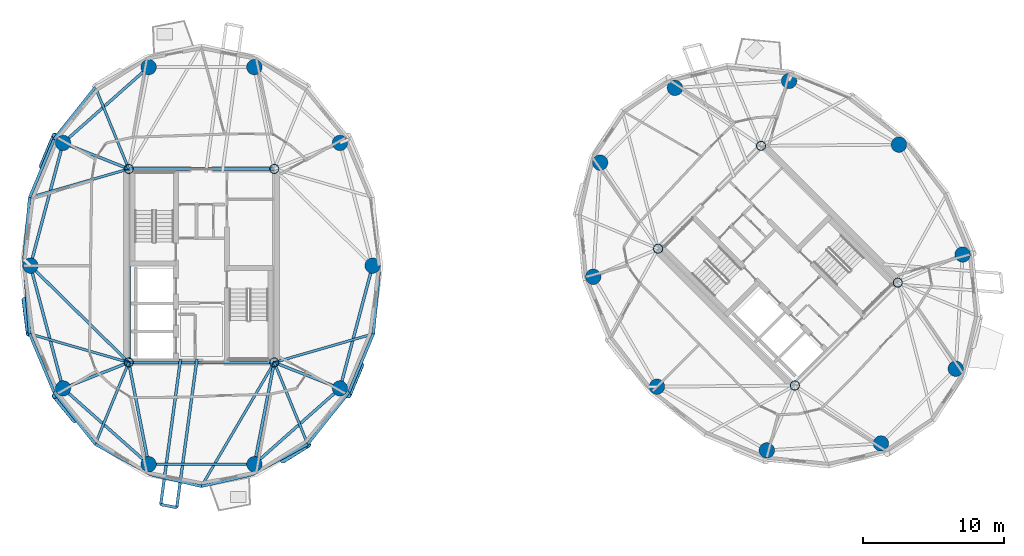
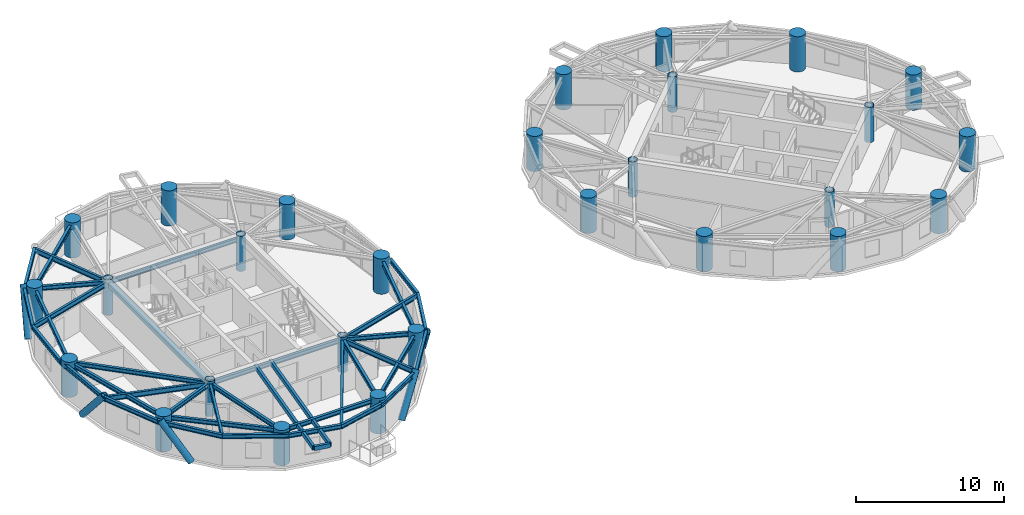
# One storey, part 1 of 17: 39 beams, 28 columns, 5 members.
"""IFC4 building model written with IfcOpenShell, lengths in metres."""

from ifc_helpers import new_model, si_unit, direction, frame, origin, origin_2d, place, context, subcontext, project, spatial, hollow_rectangle, circle, hollow_circle, i_section, extrude, material, material_profile, profile_set, type_object, element, save


model = new_model("IFC4")

# Units and contexts
model_context = context("Model", 3, precision=1e-05, world=origin(), true_north=direction((0.0, 1.0)))
body_context = subcontext(model_context, "Body", "Model", "MODEL_VIEW")
ifc_project = project(units=[si_unit("LENGTHUNIT", "METRE"), si_unit("AREAUNIT", "SQUARE_METRE"), si_unit("VOLUMEUNIT", "CUBIC_METRE"), si_unit("PLANEANGLEUNIT", "RADIAN"), si_unit("MASSUNIT", "GRAM", prefix="KILO")], contexts=[model_context])

# Site, building, storey
site_placement = place(None, origin())
site = spatial("IfcSite", under=ifc_project, at=site_placement, CompositionType="ELEMENT")
building_placement = place(site_placement, origin())
building = spatial("IfcBuilding", under=site, at=building_placement, Name="Cununo Teusaquillo Station Towers", CompositionType="ELEMENT")
storey_placement = place(building_placement, frame((0.0, 0.0, 205.389892578125)))
storey = spatial("IfcBuildingStorey", under=building, at=storey_placement, Name="L65", CompositionType="ELEMENT", Elevation=205.389892578125)

# Columns
ifc_material_1 = material(Name="Steel EN 10025-2 S355J2", Category="steel")
ifc_material_profile_1 = material_profile(ifc_material_1, hollow_circle(Radius=0.330078125, WallThickness=0.02490234375, at=origin_2d()), Name="CHS 660x25")
ifc_profile_set_1 = profile_set([ifc_material_profile_1], Name="Steel EN 10025-2 S355J2")
column_type_1 = type_object("IfcColumnType", Name="COL-CORE-Z3", PredefinedType="COLUMN", material=ifc_profile_set_1)
for number, where, z_axis, x_axis, name in (
    (1, (11.324951171875, 17.6201171875, 0.0), (0.0, 0.0, 1.0), (1.0, 0.0, 0.0), "L65 Tower A Core Column 1"),
    (2, (11.324951171875, 31.3798828125, 0.0), (0.0, 0.0, 1.0), (1.0, 0.0, 0.0), "L65 Tower A Core Column 2"),
    (3, (21.675048828125, 17.6201171875, 0.0), (0.0, 0.0, 1.0), (1.0, 0.0, 0.0), "L65 Tower A Core Column 3"),
    (4, (21.675048828125, 31.3798828125, 0.0), (0.0, 0.0, 1.0), (1.0, 0.0, 0.0), "L65 Tower A Core Column 4"),
    (5, (58.70556640625, 15.975830078125, 0.0), (0.0, 0.0, 1.0), (0.707106781187, 0.707106781187, 0.0), "L65 Tower B Core Column 1"),
    (6, (48.975830078125, 25.70556640625, 0.0), (0.0, 0.0, 1.0), (0.707106781187, 0.707106781187, 0.0), "L65 Tower B Core Column 2"),
    (7, (66.024169921875, 23.29443359375, 0.0), (0.0, 0.0, 1.0), (0.707106781187, 0.707106781187, 0.0), "L65 Tower B Core Column 3"),
    (8, (56.29443359375, 33.024169921875, 0.0), (0.0, 0.0, 1.0), (0.707106781187, 0.707106781187, 0.0), "L65 Tower B Core Column 4"),
):
    element("IfcColumn", number, at=place(storey_placement, frame(where, z_axis=z_axis, x_axis=x_axis)), inside=storey, type_object=column_type_1, Name=name, PredefinedType="COLUMN", context=body_context, shape_type="SweptSolid", body=[
        extrude(hollow_circle(Radius=0.330078125, WallThickness=0.02490234375, at=origin_2d()), origin(), (0.0, 0.0, 1.0), 2.91015625),
    ])
ifc_material_2 = material(Name="Concrete C50/60", Category="concrete")
ifc_material_profile_2 = material_profile(ifc_material_2, circle(Radius=0.550048828125, at=origin_2d()), Name="RC-CIRC-1100")
ifc_profile_set_2 = profile_set([ifc_material_profile_2], Name="Concrete C50/60")
column_type_2 = type_object("IfcColumnType", Name="COL-MEGA-Z4", PredefinedType="USERDEFINED", material=ifc_profile_set_2)
for number, where, z_axis, x_axis, name in (
    (9, (28.672119140625, 24.5, 0.0), (0.0, 0.0, 1.0), (1.0, 0.0, 0.0), "L65 Tower A Perimeter Column V00"),
    (10, (26.347412109375, 33.228515625, 0.0), (0.0, 0.0, 1.0), (1.0, 0.0, 0.0), "L65 Tower A Perimeter Column V02"),
    (11, (20.261474609375, 38.623291015625, 0.0), (0.0, 0.0, 1.0), (1.0, 0.0, 0.0), "L65 Tower A Perimeter Column V04"),
    (12, (12.738525390625, 38.623291015625, 0.0), (0.0, 0.0, 1.0), (1.0, 0.0, 0.0), "L65 Tower A Perimeter Column V06"),
    (13, (6.652587890625, 33.228515625, 0.0), (0.0, 0.0, 1.0), (1.0, 0.0, 0.0), "L65 Tower A Perimeter Column V08"),
    (14, (4.327880859375, 24.5, 0.0), (0.0, 0.0, 1.0), (1.0, 0.0, 0.0), "L65 Tower A Perimeter Column V10"),
    (15, (6.652587890625, 15.771484375, 0.0), (0.0, 0.0, 1.0), (1.0, 0.0, 0.0), "L65 Tower A Perimeter Column V12"),
    (16, (12.738525390625, 10.376708984375, 0.0), (0.0, 0.0, 1.0), (1.0, 0.0, 0.0), "L65 Tower A Perimeter Column V14"),
    (17, (20.261474609375, 10.376708984375, 0.0), (0.0, 0.0, 1.0), (1.0, 0.0, 0.0), "L65 Tower A Perimeter Column V16"),
    (18, (26.347412109375, 15.771484375, 0.0), (0.0, 0.0, 1.0), (1.0, 0.0, 0.0), "L65 Tower A Perimeter Column V18"),
    (19, (66.10693359375, 33.10693359375, 0.0), (0.0, 0.0, 1.0), (1.0, 0.0, 0.0), "L65 Tower B Perimeter Column V00"),
    (20, (58.291015625, 37.63525390625, 0.0), (0.0, 0.0, 1.0), (1.0, 0.0, 0.0), "L65 Tower B Perimeter Column V02"),
    (21, (50.173095703125, 37.146240234375, 0.0), (0.0, 0.0, 1.0), (1.0, 0.0, 0.0), "L65 Tower B Perimeter Column V04"),
    (22, (44.853759765625, 31.826904296875, 0.0), (0.0, 0.0, 1.0), (1.0, 0.0, 0.0), "L65 Tower B Perimeter Column V06"),
    (23, (44.36474609375, 23.708984375, 0.0), (0.0, 0.0, 1.0), (1.0, 0.0, 0.0), "L65 Tower B Perimeter Column V08"),
    (24, (48.89306640625, 15.89306640625, 0.0), (0.0, 0.0, 1.0), (1.0, 0.0, 0.0), "L65 Tower B Perimeter Column V10"),
    (25, (56.708984375, 11.36474609375, 0.0), (0.0, 0.0, 1.0), (1.0, 0.0, 0.0), "L65 Tower B Perimeter Column V12"),
    (26, (64.826904296875, 11.853759765625, 0.0), (0.0, 0.0, 1.0), (1.0, 0.0, 0.0), "L65 Tower B Perimeter Column V14"),
    (27, (70.146240234375, 17.173095703125, 0.0), (0.0, 0.0, 1.0), (1.0, 0.0, 0.0), "L65 Tower B Perimeter Column V16"),
    (28, (70.63525390625, 25.291015625, 0.0), (0.0, 0.0, 1.0), (1.0, 0.0, 0.0), "L65 Tower B Perimeter Column V18"),
):
    element("IfcColumn", number, at=place(storey_placement, frame(where, z_axis=z_axis, x_axis=x_axis)), inside=storey, type_object=column_type_2, Name=name, ObjectType="MEGA COLUMN", PredefinedType="USERDEFINED", context=body_context, shape_type="SweptSolid", body=[
        extrude(circle(Radius=0.550048828125, at=origin_2d()), origin(), (0.0, 0.0, 1.0), 2.91015625),
    ])

# Beams
ifc_material_3 = material(Name="Steel EN 10025-2 S355J2", Category="steel")
ifc_material_profile_3 = material_profile(ifc_material_3, hollow_rectangle(XDim=0.199951171875, YDim=0.35009765625, WallThickness=0.013916015625, at=origin_2d()), Name="RHS 350x200x14")
ifc_profile_set_3 = profile_set([ifc_material_profile_3], Name="Steel EN 10025-2 S355J2")
beam_type_1 = type_object("IfcBeamType", Name="BM-BAL-CANT", PredefinedType="BEAM", material=ifc_profile_set_3)
beam_1_placement = place(storey_placement, frame((15.0107421875, 17.85009765625, 2.525146484375), z_axis=(-0.135018196505, -0.990843119072, 0.0), x_axis=(0.990843119072, -0.135018196505, 0.0)))
element("IfcBeam", 29, at=beam_1_placement, inside=storey, type_object=beam_type_1, Name="L65 Tower A Balcony Cantilever Bracket 2A", PredefinedType="BEAM", context=body_context, shape_type="SweptSolid", body=[
    extrude(hollow_rectangle(XDim=0.199951171875, YDim=0.35009765625, WallThickness=0.013916015625, at=origin_2d()), origin(), (0.0, 0.0, 1.0), 10.43505859375),
])
beam_2_placement = place(storey_placement, frame((16.177001953125, 17.85009765625, 2.525146484375), z_axis=(-0.135006880627, -0.990844660975, 0.0), x_axis=(0.990844660975, -0.135006880627, 0.0)))
element("IfcBeam", 30, at=beam_2_placement, inside=storey, type_object=beam_type_1, Name="L65 Tower A Balcony Cantilever Bracket 2B", PredefinedType="BEAM", context=body_context, shape_type="SweptSolid", body=[
    extrude(hollow_rectangle(XDim=0.199951171875, YDim=0.35009765625, WallThickness=0.013916015625, at=origin_2d()), origin(), (0.0, 0.0, 1.0), 10.65673828125),
])
ifc_material_4 = material(Name="Steel EN 10025-2 S355J2", Category="steel")
ifc_material_profile_4 = material_profile(ifc_material_4, hollow_rectangle(XDim=0.25, YDim=0.449951171875, WallThickness=0.01611328125, at=origin_2d()), Name="RHS 450x250x16")
ifc_profile_set_4 = profile_set([ifc_material_profile_4], Name="Steel EN 10025-2 S355J2")
beam_type_2 = type_object("IfcBeamType", Name="BM-COUP-1", PredefinedType="USERDEFINED", material=ifc_profile_set_4)
beam_3_placement = place(storey_placement, frame((11.324951171875, 17.6201171875, 2.47509765625), z_axis=(0.0, 1.0, 0.0), x_axis=(-1.0, 0.0, 0.0)))
element("IfcBeam", 31, at=beam_3_placement, inside=storey, type_object=beam_type_2, Name="L65 Tower A Core Beam 1", ObjectType="COUPLING BEAM", PredefinedType="USERDEFINED", context=body_context, shape_type="SweptSolid", body=[
    extrude(hollow_rectangle(XDim=0.25, YDim=0.449951171875, WallThickness=0.01611328125, at=origin_2d()), origin(), (0.0, 0.0, 1.0), 13.759765625),
])
ifc_material_5 = material(Name="Steel ASTM A572 Grade 50", Category="steel")
ifc_material_profile_5 = material_profile(ifc_material_5, i_section(OverallWidth=0.180908203125, OverallDepth=0.4169921875, WebThickness=0.010986328125, FlangeThickness=0.018310546875, FilletRadius=0.012939453125, at=origin_2d()), Name="W16X57")
ifc_profile_set_5 = profile_set([ifc_material_profile_5], Name="Steel ASTM A572 Grade 50")
beam_type_3 = type_object("IfcBeamType", Name="BM-JOIST-1", PredefinedType="JOIST", material=ifc_profile_set_5)
beam_4_placement = place(storey_placement, frame((11.324951171875, 31.3798828125, 2.49169921875), z_axis=(-0.378576847217, 0.925569862707, 0.0), x_axis=(-0.925569862707, -0.378576847217, 0.0)))
element("IfcBeam", 32, at=beam_4_placement, inside=storey, type_object=beam_type_3, Name="L65 Tower A Radial Spandrel Joist V07", PredefinedType="JOIST", context=body_context, shape_type="SweptSolid", body=[
    extrude(i_section(OverallWidth=0.180908203125, OverallDepth=0.4169921875, WebThickness=0.010986328125, FlangeThickness=0.018310546875, FilletRadius=0.012939453125, at=origin_2d()), origin(), (0.0, 0.0, 1.0), 6.28125),
])
for number, where, z_axis, x_axis, name in (
    (33, (11.324951171875, 31.3798828125, 2.49169921875), (-0.960861603375, -0.277028841748, 0.0), (0.277028841748, -0.960861603375, 0.0), "L65 Tower A Radial Spandrel Joist V09"),
    (34, (11.324951171875, 17.6201171875, 2.49169921875), (-0.960861603375, 0.277028841748, 0.0), (-0.277028841748, -0.960861603375, 0.0), "L65 Tower A Radial Spandrel Joist V11"),
):
    element("IfcBeam", number, at=place(storey_placement, frame(where, z_axis=z_axis, x_axis=x_axis)), inside=storey, type_object=beam_type_3, Name=name, PredefinedType="JOIST", context=body_context, shape_type="SweptSolid", body=[
        extrude(i_section(OverallWidth=0.180908203125, OverallDepth=0.4169921875, WebThickness=0.010986328125, FlangeThickness=0.018310546875, FilletRadius=0.012939453125, at=origin_2d()), origin(), (0.0, 0.0, 1.0), 7.333251953125),
    ])
beam_5_placement = place(storey_placement, frame((11.324951171875, 17.6201171875, 2.49169921875), z_axis=(-0.378576847217, -0.925569862707, 0.0), x_axis=(0.925569862707, -0.378576847217, 0.0)))
element("IfcBeam", 35, at=beam_5_placement, inside=storey, type_object=beam_type_3, Name="L65 Tower A Radial Spandrel Joist V13", PredefinedType="JOIST", context=body_context, shape_type="SweptSolid", body=[
    extrude(i_section(OverallWidth=0.180908203125, OverallDepth=0.4169921875, WebThickness=0.010986328125, FlangeThickness=0.018310546875, FilletRadius=0.012939453125, at=origin_2d()), origin(), (0.0, 0.0, 1.0), 6.28125),
])
beam_6_placement = place(storey_placement, frame((21.675048828125, 17.6201171875, 2.49169921875), z_axis=(-0.506486432091, -0.862247930765, 0.0), x_axis=(0.862247930765, -0.506486432091, 0.0)))
element("IfcBeam", 36, at=beam_6_placement, inside=storey, type_object=beam_type_3, Name="L65 Tower A Radial Spandrel Joist V15", PredefinedType="JOIST", context=body_context, shape_type="SweptSolid", body=[
    extrude(i_section(OverallWidth=0.180908203125, OverallDepth=0.4169921875, WebThickness=0.010986328125, FlangeThickness=0.018310546875, FilletRadius=0.012939453125, at=origin_2d()), origin(), (0.0, 0.0, 1.0), 10.217529296875),
])
beam_7_placement = place(storey_placement, frame((21.675048828125, 17.6201171875, 2.49169921875), z_axis=(0.378576847217, -0.925569862707, 0.0), x_axis=(0.925569862707, 0.378576847217, 0.0)))
element("IfcBeam", 37, at=beam_7_placement, inside=storey, type_object=beam_type_3, Name="L65 Tower A Radial Spandrel Joist V17", PredefinedType="JOIST", context=body_context, shape_type="SweptSolid", body=[
    extrude(i_section(OverallWidth=0.180908203125, OverallDepth=0.4169921875, WebThickness=0.010986328125, FlangeThickness=0.018310546875, FilletRadius=0.012939453125, at=origin_2d()), origin(), (0.0, 0.0, 1.0), 6.28125),
])
beam_8_placement = place(storey_placement, frame((21.675048828125, 17.6201171875, 2.49169921875), z_axis=(0.960861603375, 0.277028841748, 0.0), x_axis=(-0.277028841748, 0.960861603375, 0.0)))
element("IfcBeam", 38, at=beam_8_placement, inside=storey, type_object=beam_type_3, Name="L65 Tower A Radial Spandrel Joist V19", PredefinedType="JOIST", context=body_context, shape_type="SweptSolid", body=[
    extrude(i_section(OverallWidth=0.180908203125, OverallDepth=0.4169921875, WebThickness=0.010986328125, FlangeThickness=0.018310546875, FilletRadius=0.012939453125, at=origin_2d()), origin(), (0.0, 0.0, 1.0), 7.333251953125),
])
ifc_material_6 = material(Name="Steel ASTM A572 Grade 50", Category="steel")
ifc_material_profile_6 = material_profile(ifc_material_6, i_section(OverallWidth=0.2041015625, OverallDepth=0.35009765625, WebThickness=0.008544921875, FlangeThickness=0.01513671875, FilletRadius=0.011962890625, at=origin_2d()), Name="W14X48")
ifc_profile_set_6 = profile_set([ifc_material_profile_6], Name="Steel ASTM A572 Grade 50")
beam_type_4 = type_object("IfcBeamType", Name="BM-LINTEL-1", PredefinedType="LINTEL", material=ifc_profile_set_6)
for number, where, z_axis, x_axis, name in (
    (39, (11.324951171875, 17.6201171875, 2.525146484375), (1.0, 0.0, 0.0), (0.0, 1.0, 0.0), "L65 Tower A Core Beam 3"),
    (40, (11.324951171875, 31.3798828125, 2.525146484375), (1.0, 0.0, 0.0), (0.0, 1.0, 0.0), "L65 Tower A Core Beam 4"),
):
    element("IfcBeam", number, at=place(storey_placement, frame(where, z_axis=z_axis, x_axis=x_axis)), inside=storey, type_object=beam_type_4, Name=name, PredefinedType="LINTEL", context=body_context, shape_type="SweptSolid", body=[
        extrude(i_section(OverallWidth=0.2041015625, OverallDepth=0.35009765625, WebThickness=0.008544921875, FlangeThickness=0.01513671875, FilletRadius=0.011962890625, at=origin_2d()), origin(), (0.0, 0.0, 1.0), 10.35009765625),
    ])
ifc_material_7 = material(Name="Steel ASTM A572 Grade 50", Category="steel")
ifc_material_profile_7 = material_profile(ifc_material_7, i_section(OverallWidth=0.2041015625, OverallDepth=0.35009765625, WebThickness=0.008544921875, FlangeThickness=0.01513671875, FilletRadius=0.011962890625, at=origin_2d()), Name="W14X48")
ifc_profile_set_7 = profile_set([ifc_material_profile_7], Name="Steel ASTM A572 Grade 50")
beam_type_5 = type_object("IfcBeamType", Name="BM-RAD-G3", PredefinedType="BEAM", material=ifc_profile_set_7)
beam_9_placement = place(storey_placement, frame((11.324951171875, 31.3798828125, 2.525146484375), z_axis=(-0.929851670487, 0.36793460138, 0.0), x_axis=(-0.36793460138, -0.929851670487, 0.0)))
element("IfcBeam", 41, at=beam_9_placement, inside=storey, type_object=beam_type_5, Name="L65 Tower A Continuous Overhanging Radial Girder 05", PredefinedType="BEAM", context=body_context, shape_type="SweptSolid", body=[
    extrude(i_section(OverallWidth=0.2041015625, OverallDepth=0.35009765625, WebThickness=0.008544921875, FlangeThickness=0.01513671875, FilletRadius=0.011962890625, at=origin_2d()), origin(), (0.0, 0.0, 1.0), 5.71630859375),
])
beam_10_placement = place(storey_placement, frame((11.324951171875, 17.6201171875, 2.525146484375), z_axis=(-0.713052701438, 0.701110437073, 0.0), x_axis=(-0.701110437073, -0.713052701438, 0.0)))
element("IfcBeam", 42, at=beam_10_placement, inside=storey, type_object=beam_type_5, Name="L65 Tower A Radial Girder 06A", PredefinedType="BEAM", context=body_context, shape_type="SweptSolid", body=[
    extrude(i_section(OverallWidth=0.2041015625, OverallDepth=0.35009765625, WebThickness=0.008544921875, FlangeThickness=0.01513671875, FilletRadius=0.011962890625, at=origin_2d()), origin(), (0.0, 0.0, 1.0), 9.812744140625),
])
beam_11_placement = place(storey_placement, frame((11.324951171875, 17.6201171875, 2.525146484375), z_axis=(-0.929851670487, -0.36793460138, 0.0), x_axis=(0.36793460138, -0.929851670487, 0.0)))
element("IfcBeam", 43, at=beam_11_placement, inside=storey, type_object=beam_type_5, Name="L65 Tower A Continuous Overhanging Radial Girder 07", PredefinedType="BEAM", context=body_context, shape_type="SweptSolid", body=[
    extrude(i_section(OverallWidth=0.2041015625, OverallDepth=0.35009765625, WebThickness=0.008544921875, FlangeThickness=0.01513671875, FilletRadius=0.011962890625, at=origin_2d()), origin(), (0.0, 0.0, 1.0), 5.71630859375),
])
for number, where, z_axis, x_axis, name in (
    (44, (11.324951171875, 17.6201171875, 2.525146484375), (0.191548487699, -0.981483151593, 0.0), (0.981483151593, 0.191548487699, 0.0), "L65 Tower A Continuous Overhanging Radial Girder 08"),
    (45, (21.675048828125, 17.6201171875, 2.525146484375), (-0.191548487699, -0.981483151593, 0.0), (0.981483151593, -0.191548487699, 0.0), "L65 Tower A Continuous Overhanging Radial Girder 09"),
):
    element("IfcBeam", number, at=place(storey_placement, frame(where, z_axis=z_axis, x_axis=x_axis)), inside=storey, type_object=beam_type_5, Name=name, PredefinedType="BEAM", context=body_context, shape_type="SweptSolid", body=[
        extrude(i_section(OverallWidth=0.2041015625, OverallDepth=0.35009765625, WebThickness=0.008544921875, FlangeThickness=0.01513671875, FilletRadius=0.011962890625, at=origin_2d()), origin(), (0.0, 0.0, 1.0), 8.1240234375),
    ])
beam_12_placement = place(storey_placement, frame((21.675048828125, 17.6201171875, 2.525146484375), z_axis=(0.929851670487, -0.36793460138, 0.0), x_axis=(0.36793460138, 0.929851670487, 0.0)))
element("IfcBeam", 46, at=beam_12_placement, inside=storey, type_object=beam_type_5, Name="L65 Tower A Continuous Overhanging Radial Girder 10", PredefinedType="BEAM", context=body_context, shape_type="SweptSolid", body=[
    extrude(i_section(OverallWidth=0.2041015625, OverallDepth=0.35009765625, WebThickness=0.008544921875, FlangeThickness=0.01513671875, FilletRadius=0.011962890625, at=origin_2d()), origin(), (0.0, 0.0, 1.0), 5.71630859375),
])
ifc_material_8 = material(Name="Steel ASTM A572 Grade 50", Category="steel")
ifc_material_profile_8 = material_profile(ifc_material_8, i_section(OverallWidth=0.2041015625, OverallDepth=0.35009765625, WebThickness=0.008544921875, FlangeThickness=0.01513671875, FilletRadius=0.011962890625, at=origin_2d()), Name="W14X48")
ifc_profile_set_8 = profile_set([ifc_material_profile_8], Name="Steel ASTM A572 Grade 50")
beam_type_6 = type_object("IfcBeamType", Name="BM-RING-Z4", PredefinedType="SPANDREL", material=ifc_profile_set_8)
beam_13_placement = place(storey_placement, frame((12.738525390625, 38.623291015625, 2.525146484375), z_axis=(-0.74832120039, -0.66333655187, 0.0), x_axis=(0.66333655187, -0.74832120039, 0.0)))
element("IfcBeam", 47, at=beam_13_placement, inside=storey, type_object=beam_type_6, Name="L65 Tower A Structural Column Ring Girder 04", PredefinedType="SPANDREL", context=body_context, shape_type="SweptSolid", body=[
    extrude(i_section(OverallWidth=0.2041015625, OverallDepth=0.35009765625, WebThickness=0.008544921875, FlangeThickness=0.01513671875, FilletRadius=0.011962890625, at=origin_2d()), origin(), (0.0, 0.0, 1.0), 8.1328125),
])
for number, where, z_axis, x_axis, name in (
    (48, (6.652587890625, 33.228515625, 2.525146484375), (-0.257363196347, -0.966314744359, 0.0), (0.966314744359, -0.257363196347, 0.0), "L65 Tower A Structural Column Ring Girder 05"),
    (49, (4.327880859375, 24.5, 2.525146484375), (0.257363196347, -0.966314744359, 0.0), (0.966314744359, 0.257363196347, 0.0), "L65 Tower A Structural Column Ring Girder 06"),
):
    element("IfcBeam", number, at=place(storey_placement, frame(where, z_axis=z_axis, x_axis=x_axis)), inside=storey, type_object=beam_type_6, Name=name, PredefinedType="SPANDREL", context=body_context, shape_type="SweptSolid", body=[
        extrude(i_section(OverallWidth=0.2041015625, OverallDepth=0.35009765625, WebThickness=0.008544921875, FlangeThickness=0.01513671875, FilletRadius=0.011962890625, at=origin_2d()), origin(), (0.0, 0.0, 1.0), 9.03271484375),
    ])
beam_14_placement = place(storey_placement, frame((6.652587890625, 15.771484375, 2.525146484375), z_axis=(0.74832120039, -0.66333655187, 0.0), x_axis=(0.66333655187, 0.74832120039, 0.0)))
element("IfcBeam", 50, at=beam_14_placement, inside=storey, type_object=beam_type_6, Name="L65 Tower A Structural Column Ring Girder 07", PredefinedType="SPANDREL", context=body_context, shape_type="SweptSolid", body=[
    extrude(i_section(OverallWidth=0.2041015625, OverallDepth=0.35009765625, WebThickness=0.008544921875, FlangeThickness=0.01513671875, FilletRadius=0.011962890625, at=origin_2d()), origin(), (0.0, 0.0, 1.0), 8.1328125),
])
beam_15_placement = place(storey_placement, frame((12.738525390625, 10.376708984375, 2.525146484375), z_axis=(1.0, 0.0, 0.0), x_axis=(0.0, 1.0, 0.0)))
element("IfcBeam", 51, at=beam_15_placement, inside=storey, type_object=beam_type_6, Name="L65 Tower A Structural Column Ring Girder 08", PredefinedType="SPANDREL", context=body_context, shape_type="SweptSolid", body=[
    extrude(i_section(OverallWidth=0.2041015625, OverallDepth=0.35009765625, WebThickness=0.008544921875, FlangeThickness=0.01513671875, FilletRadius=0.011962890625, at=origin_2d()), origin(), (0.0, 0.0, 1.0), 7.52294921875),
])
beam_16_placement = place(storey_placement, frame((20.261474609375, 10.376708984375, 2.525146484375), z_axis=(0.74832120039, 0.66333655187, 0.0), x_axis=(-0.66333655187, 0.74832120039, 0.0)))
element("IfcBeam", 52, at=beam_16_placement, inside=storey, type_object=beam_type_6, Name="L65 Tower A Structural Column Ring Girder 09", PredefinedType="SPANDREL", context=body_context, shape_type="SweptSolid", body=[
    extrude(i_section(OverallWidth=0.2041015625, OverallDepth=0.35009765625, WebThickness=0.008544921875, FlangeThickness=0.01513671875, FilletRadius=0.011962890625, at=origin_2d()), origin(), (0.0, 0.0, 1.0), 8.1328125),
])
beam_17_placement = place(storey_placement, frame((26.347412109375, 15.771484375, 2.525146484375), z_axis=(0.257363196347, 0.966314744359, 0.0), x_axis=(-0.966314744359, 0.257363196347, 0.0)))
element("IfcBeam", 53, at=beam_17_placement, inside=storey, type_object=beam_type_6, Name="L65 Tower A Structural Column Ring Girder 10", PredefinedType="SPANDREL", context=body_context, shape_type="SweptSolid", body=[
    extrude(i_section(OverallWidth=0.2041015625, OverallDepth=0.35009765625, WebThickness=0.008544921875, FlangeThickness=0.01513671875, FilletRadius=0.011962890625, at=origin_2d()), origin(), (0.0, 0.0, 1.0), 9.03271484375),
])
beam_18_placement = place(storey_placement, frame((8.947021484375, 37.193603515625, 2.525146484375), z_axis=(-0.620710872531, -0.784039547932, 0.0), x_axis=(0.784039547932, -0.620710872531, 0.0)))
element("IfcBeam", 54, at=beam_18_placement, inside=storey, type_object=beam_type_6, Name="L65 Tower A Spandrel Ring Beam 08", PredefinedType="SPANDREL", context=body_context, shape_type="SweptSolid", body=[
    extrude(i_section(OverallWidth=0.2041015625, OverallDepth=0.35009765625, WebThickness=0.008544921875, FlangeThickness=0.01513671875, FilletRadius=0.011962890625, at=origin_2d()), origin(), (0.0, 0.0, 1.0), 4.732421875),
])
beam_19_placement = place(storey_placement, frame((6.009521484375, 33.483154296875, 2.525146484375), z_axis=(-0.386115454066, -0.922450462698, 0.0), x_axis=(0.922450462698, -0.386115454066, 0.0)))
element("IfcBeam", 55, at=beam_19_placement, inside=storey, type_object=beam_type_6, Name="L65 Tower A Spandrel Ring Beam 09", PredefinedType="SPANDREL", context=body_context, shape_type="SweptSolid", body=[
    extrude(i_section(OverallWidth=0.2041015625, OverallDepth=0.35009765625, WebThickness=0.008544921875, FlangeThickness=0.01513671875, FilletRadius=0.011962890625, at=origin_2d()), origin(), (0.0, 0.0, 1.0), 4.482421875),
])
beam_20_placement = place(storey_placement, frame((4.27880859375, 29.348388671875, 2.525146484375), z_axis=(-0.093902932611, -0.995581357422, 0.0), x_axis=(0.995581357422, -0.093902932611, 0.0)))
element("IfcBeam", 56, at=beam_20_placement, inside=storey, type_object=beam_type_6, Name="L65 Tower A Spandrel Ring Beam 10", PredefinedType="SPANDREL", context=body_context, shape_type="SweptSolid", body=[
    extrude(i_section(OverallWidth=0.2041015625, OverallDepth=0.35009765625, WebThickness=0.008544921875, FlangeThickness=0.01513671875, FilletRadius=0.011962890625, at=origin_2d()), origin(), (0.0, 0.0, 1.0), 4.412109375),
])
beam_21_placement = place(storey_placement, frame((3.864501953125, 24.955810546875, 2.525146484375), z_axis=(0.077871988965, -0.996963366095, 0.0), x_axis=(0.996963366095, 0.077871988965, 0.0)))
element("IfcBeam", 57, at=beam_21_placement, inside=storey, type_object=beam_type_6, Name="L65 Tower A Spandrel Ring Beam 11", PredefinedType="SPANDREL", context=body_context, shape_type="SweptSolid", body=[
    extrude(i_section(OverallWidth=0.2041015625, OverallDepth=0.35009765625, WebThickness=0.008544921875, FlangeThickness=0.01513671875, FilletRadius=0.011962890625, at=origin_2d()), origin(), (0.0, 0.0, 1.0), 5.3203125),
])
beam_22_placement = place(storey_placement, frame((4.27880859375, 19.651611328125, 2.525146484375), z_axis=(0.386115454066, -0.922450462698, 0.0), x_axis=(0.922450462698, 0.386115454066, 0.0)))
element("IfcBeam", 58, at=beam_22_placement, inside=storey, type_object=beam_type_6, Name="L65 Tower A Spandrel Ring Beam 12", PredefinedType="SPANDREL", context=body_context, shape_type="SweptSolid", body=[
    extrude(i_section(OverallWidth=0.2041015625, OverallDepth=0.35009765625, WebThickness=0.008544921875, FlangeThickness=0.01513671875, FilletRadius=0.011962890625, at=origin_2d()), origin(), (0.0, 0.0, 1.0), 4.482421875),
])
beam_23_placement = place(storey_placement, frame((6.009521484375, 15.516845703125, 2.525146484375), z_axis=(0.620710872531, -0.784039547932, 0.0), x_axis=(0.784039547932, 0.620710872531, 0.0)))
element("IfcBeam", 59, at=beam_23_placement, inside=storey, type_object=beam_type_6, Name="L65 Tower A Spandrel Ring Beam 13", PredefinedType="SPANDREL", context=body_context, shape_type="SweptSolid", body=[
    extrude(i_section(OverallWidth=0.2041015625, OverallDepth=0.35009765625, WebThickness=0.008544921875, FlangeThickness=0.01513671875, FilletRadius=0.011962890625, at=origin_2d()), origin(), (0.0, 0.0, 1.0), 4.732421875),
])
beam_24_placement = place(storey_placement, frame((8.947021484375, 11.806396484375, 2.525146484375), z_axis=(0.876576300909, -0.481262910149, 0.0), x_axis=(0.481262910149, 0.876576300909, 0.0)))
element("IfcBeam", 60, at=beam_24_placement, inside=storey, type_object=beam_type_6, Name="L65 Tower A Spandrel Ring Beam 14", PredefinedType="SPANDREL", context=body_context, shape_type="SweptSolid", body=[
    extrude(i_section(OverallWidth=0.2041015625, OverallDepth=0.35009765625, WebThickness=0.008544921875, FlangeThickness=0.01513671875, FilletRadius=0.011962890625, at=origin_2d()), origin(), (0.0, 0.0, 1.0), 4.488037109375),
])
for number, where, z_axis, x_axis, name in (
    (61, (12.881103515625, 9.646484375, 2.525146484375), (0.97431470066, -0.225190728224, 0.0), (0.225190728224, 0.97431470066, 0.0), "L65 Tower A Spandrel Ring Beam 15"),
    (62, (16.5, 8.81005859375, 2.525146484375), (0.97431470066, 0.225190728224, 0.0), (-0.225190728224, 0.97431470066, 0.0), "L65 Tower A Spandrel Ring Beam 16"),
):
    element("IfcBeam", number, at=place(storey_placement, frame(where, z_axis=z_axis, x_axis=x_axis)), inside=storey, type_object=beam_type_6, Name=name, PredefinedType="SPANDREL", context=body_context, shape_type="SweptSolid", body=[
        extrude(i_section(OverallWidth=0.2041015625, OverallDepth=0.35009765625, WebThickness=0.008544921875, FlangeThickness=0.01513671875, FilletRadius=0.011962890625, at=origin_2d()), origin(), (0.0, 0.0, 1.0), 3.71435546875),
    ])
beam_25_placement = place(storey_placement, frame((20.118896484375, 9.646484375, 2.525146484375), z_axis=(0.876576300909, 0.481262910149, 0.0), x_axis=(-0.481262910149, 0.876576300909, 0.0)))
element("IfcBeam", 63, at=beam_25_placement, inside=storey, type_object=beam_type_6, Name="L65 Tower A Spandrel Ring Beam 17", PredefinedType="SPANDREL", context=body_context, shape_type="SweptSolid", body=[
    extrude(i_section(OverallWidth=0.2041015625, OverallDepth=0.35009765625, WebThickness=0.008544921875, FlangeThickness=0.01513671875, FilletRadius=0.011962890625, at=origin_2d()), origin(), (0.0, 0.0, 1.0), 4.488037109375),
])
beam_26_placement = place(storey_placement, frame((24.052978515625, 11.806396484375, 2.525146484375), z_axis=(0.620710872531, 0.784039547932, 0.0), x_axis=(-0.784039547932, 0.620710872531, 0.0)))
element("IfcBeam", 64, at=beam_26_placement, inside=storey, type_object=beam_type_6, Name="L65 Tower A Spandrel Ring Beam 18", PredefinedType="SPANDREL", context=body_context, shape_type="SweptSolid", body=[
    extrude(i_section(OverallWidth=0.2041015625, OverallDepth=0.35009765625, WebThickness=0.008544921875, FlangeThickness=0.01513671875, FilletRadius=0.011962890625, at=origin_2d()), origin(), (0.0, 0.0, 1.0), 4.732421875),
])
beam_27_placement = place(storey_placement, frame((26.990478515625, 15.516845703125, 2.525146484375), z_axis=(0.386115454066, 0.922450462698, 0.0), x_axis=(-0.922450462698, 0.386115454066, 0.0)))
element("IfcBeam", 65, at=beam_27_placement, inside=storey, type_object=beam_type_6, Name="L65 Tower A Spandrel Ring Beam 19", PredefinedType="SPANDREL", context=body_context, shape_type="SweptSolid", body=[
    extrude(i_section(OverallWidth=0.2041015625, OverallDepth=0.35009765625, WebThickness=0.008544921875, FlangeThickness=0.01513671875, FilletRadius=0.011962890625, at=origin_2d()), origin(), (0.0, 0.0, 1.0), 4.482421875),
])
beam_28_placement = place(storey_placement, frame((28.72119140625, 19.651611328125, 2.525146484375), z_axis=(0.093902932611, 0.995581357422, 0.0), x_axis=(-0.995581357422, 0.093902932611, 0.0)))
element("IfcBeam", 66, at=beam_28_placement, inside=storey, type_object=beam_type_6, Name="L65 Tower A Spandrel Ring Beam 20", PredefinedType="SPANDREL", context=body_context, shape_type="SweptSolid", body=[
    extrude(i_section(OverallWidth=0.2041015625, OverallDepth=0.35009765625, WebThickness=0.008544921875, FlangeThickness=0.01513671875, FilletRadius=0.011962890625, at=origin_2d()), origin(), (0.0, 0.0, 1.0), 4.412109375),
])
ifc_material_9 = material(Name="Steel EN 10025-2 S355J2", Category="steel")
ifc_material_profile_9 = material_profile(ifc_material_9, hollow_rectangle(XDim=0.199951171875, YDim=0.35009765625, WallThickness=0.013916015625, at=origin_2d()), Name="RHS 350x200x14")
ifc_profile_set_9 = profile_set([ifc_material_profile_9], Name="Steel EN 10025-2 S355J2")
beam_type_7 = type_object("IfcBeamType", Name="BM-STAIR-TRIM", PredefinedType="BEAM", material=ifc_profile_set_9)
beam_29_placement = place(storey_placement, frame((13.601806640625, 7.510498046875, 2.525146484375), z_axis=(0.981857200028, -0.189621830897, 0.0), x_axis=(0.189621830897, 0.981857200028, 0.0)))
element("IfcBeam", 67, at=beam_29_placement, inside=storey, type_object=beam_type_7, Name="L65 Tower A Balcony Edge Trimmer Beam 2", PredefinedType="BEAM", context=body_context, shape_type="SweptSolid", body=[
    extrude(hollow_rectangle(XDim=0.199951171875, YDim=0.35009765625, WallThickness=0.013916015625, at=origin_2d()), origin(), (0.0, 0.0, 1.0), 1.157470703125),
])

# Members
ifc_material_10 = material(Name="Steel EN 10025-2 S355J2", Category="steel")
ifc_material_profile_10 = material_profile(ifc_material_10, hollow_circle(Radius=0.25390625, WallThickness=0.01806640625, at=origin_2d()), Name="CHS 508x18")
ifc_profile_set_10 = profile_set([ifc_material_profile_10], Name="Steel EN 10025-2 S355J2")
member_type = type_object("IfcMemberType", Name="MBR-DIAG-Z4", PredefinedType="BRACE", material=ifc_profile_set_10)
member_1_placement = place(storey_placement, frame((5.19140625, 31.535400390625, -0.139892578125), z_axis=(0.243178360097, 0.58276932845, 0.77539937774), x_axis=(-0.922875628603, 0.385098135713, 0.0)))
element("IfcMember", 68, at=member_1_placement, inside=storey, type_object=member_type, Name="L65 Tower A Folded-Zigzag Diagrid Tube C08", PredefinedType="BRACE", context=body_context, shape_type="SweptSolid", body=[
    extrude(hollow_circle(Radius=0.25390625, WallThickness=0.01806640625, at=origin_2d()), origin(), (0.0, 0.0, 1.0), 3.752685546875),
])
member_2_placement = place(storey_placement, frame((3.964599609375, 22.07568359375, -0.139892578125), z_axis=(0.08267958367, -0.637859818385, 0.765701598885), x_axis=(0.991703685637, 0.128544933368, 0.0)))
element("IfcMember", 69, at=member_2_placement, inside=storey, type_object=member_type, Name="L65 Tower A Folded-Zigzag Diagrid Tube C10", PredefinedType="BRACE", context=body_context, shape_type="SweptSolid", body=[
    extrude(hollow_circle(Radius=0.25390625, WallThickness=0.01806640625, at=origin_2d()), origin(), (0.0, 0.0, 1.0), 3.80029296875),
])
member_3_placement = place(storey_placement, frame((7.525390625, 13.5419921875, -0.139892578125), z_axis=(-0.386849297016, 0.472365450444, 0.791971276389), x_axis=(-0.773661438449, -0.633599225581, 0.0)))
element("IfcMember", 70, at=member_3_placement, inside=storey, type_object=member_type, Name="L65 Tower A Folded-Zigzag Diagrid Tube C12", PredefinedType="BRACE", context=body_context, shape_type="SweptSolid", body=[
    extrude(hollow_circle(Radius=0.25390625, WallThickness=0.01806640625, at=origin_2d()), origin(), (0.0, 0.0, 1.0), 3.67431640625),
])
member_4_placement = place(storey_placement, frame((22.261962890625, 10.692138671875, -0.139892578125), z_axis=(0.498333742466, 0.310032061152, 0.809656471708), x_axis=(-0.528249968439, 0.849088906325, 0.0)))
element("IfcMember", 71, at=member_4_placement, inside=storey, type_object=member_type, Name="L65 Tower A Folded-Zigzag Diagrid Tube C16", PredefinedType="BRACE", context=body_context, shape_type="SweptSolid", body=[
    extrude(hollow_circle(Radius=0.25390625, WallThickness=0.01806640625, at=origin_2d()), origin(), (0.0, 0.0, 1.0), 3.593994140625),
])
member_5_placement = place(storey_placement, frame((27.80859375, 17.464599609375, -0.139892578125), z_axis=(-0.243178360097, -0.58276932845, 0.77539937774), x_axis=(0.922875628603, -0.385098135713, 0.0)))
element("IfcMember", 72, at=member_5_placement, inside=storey, type_object=member_type, Name="L65 Tower A Folded-Zigzag Diagrid Tube C18", PredefinedType="BRACE", context=body_context, shape_type="SweptSolid", body=[
    extrude(hollow_circle(Radius=0.25390625, WallThickness=0.01806640625, at=origin_2d()), origin(), (0.0, 0.0, 1.0), 3.752685546875),
])

save(model, "model.ifc")
